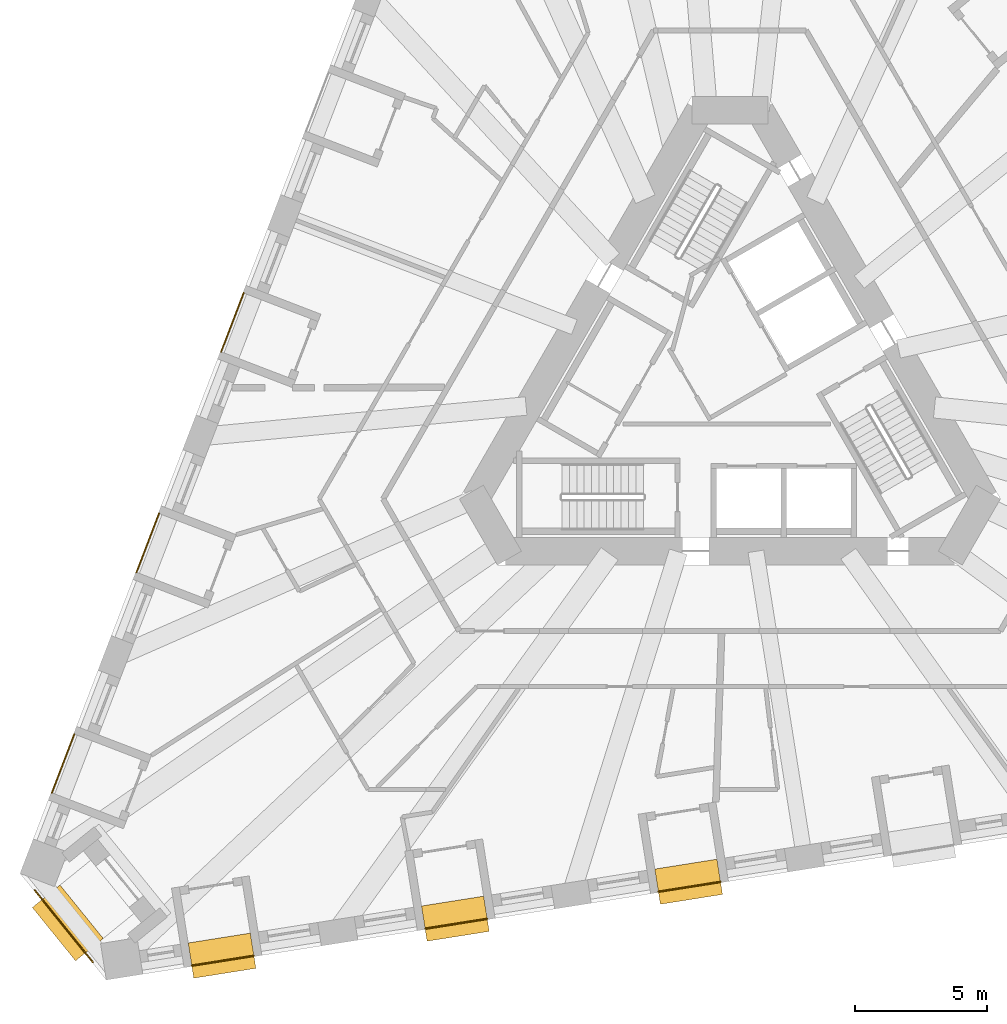
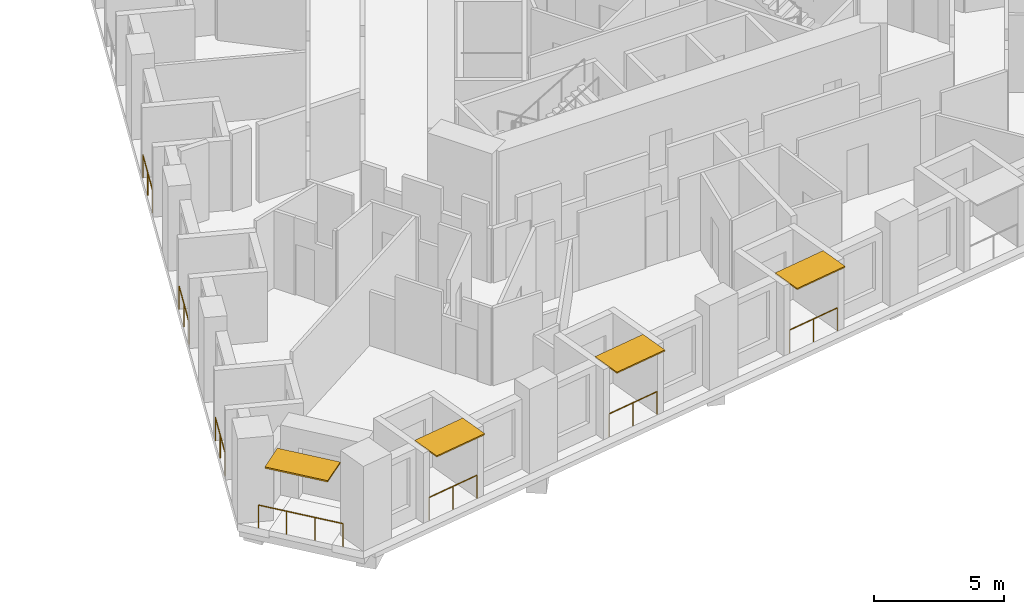
# One storey, part 11 of 14: 7 railings, 4 shading devices.
"""IFC4 building model written with IfcOpenShell, lengths in metres."""

import ifcopenshell
import ifcopenshell.guid

model = None  # the IFC model being written
_history = None  # IfcOwnerHistory: only IFC2X3 demands one
_inside = {}  # id of a spatial element -> (the spatial element, [elements in it])
_under = {}  # id of a project, library or spatial element -> (it, [spatial elements below it])
_declared = {}  # id of a project -> (the project, [libraries it declares])
_typed = {}  # id of a type object -> (the type object, [elements of that type])
_made_of = {}  # id of a material, layer set ... -> (it, [elements and type objects made of it])


def new_model(schema):
    """Start an empty IFC model of exactly this schema.

    Asked for "IFC4X3", IfcOpenShell would pick the latest addendum, in which some entities
    have other attributes; the version numbers below select the first issue.
    IFC2X3 requires an IfcOwnerHistory on every rooted entity: one is made here for all.
    """
    global model, _history
    if schema == "IFC4X3":
        model = ifcopenshell.file(schema_version=(4, 3, 0, 0))
    else:
        model = ifcopenshell.file(schema=schema)
    _inside.clear()
    _under.clear()
    _declared.clear()
    _typed.clear()
    _made_of.clear()
    _history = None
    if model.schema == "IFC2X3":
        org = make("IfcOrganization", Name="unknown")
        user = make(
            "IfcPersonAndOrganization",
            ThePerson=make("IfcPerson", FamilyName="unknown"),
            TheOrganization=org,
        )
        app = make(
            "IfcApplication",
            ApplicationDeveloper=org,
            Version="unknown",
            ApplicationFullName="unknown",
            ApplicationIdentifier="unknown",
        )
        _history = make(
            "IfcOwnerHistory",
            OwningUser=user,
            OwningApplication=app,
            ChangeAction="ADDED",
            CreationDate=0,
        )
    return model


def make(cls, **values):
    """One entity of the class cls with the attributes given. An attribute that is None is left unset."""
    return model.create_entity(
        cls, **{name: value for name, value in values.items() if value is not None}
    )


def rooted(cls, **values):
    """An entity with a GlobalId (a new one), such as an element, a storey or a relation."""
    return make(cls, GlobalId=ifcopenshell.guid.new(), OwnerHistory=_history, **values)


def si_unit(unit_type, name, prefix=None):
    """IfcSIUnit, for example si_unit("LENGTHUNIT", "METRE", prefix="MILLI")."""
    return make("IfcSIUnit", UnitType=unit_type, Prefix=prefix, Name=name)


def assignment(units):
    """IfcUnitAssignment: the units of a project."""
    return None if units is None else make("IfcUnitAssignment", Units=units)


def point(xyz):
    """IfcCartesianPoint."""
    return None if xyz is None else make("IfcCartesianPoint", Coordinates=xyz)


def direction(xyz):
    """IfcDirection."""
    return None if xyz is None else make("IfcDirection", DirectionRatios=xyz)


def frame(location, z_axis=None, x_axis=None):
    """IfcAxis2Placement3D, a coordinate frame: its origin and axes. An axis left out is left unset."""
    return make(
        "IfcAxis2Placement3D",
        Location=point(location),
        Axis=direction(z_axis),
        RefDirection=direction(x_axis),
    )


def frame_2d(location, x_axis=None):
    """IfcAxis2Placement2D, a coordinate frame in the plane: its origin and x axis."""
    return make(
        "IfcAxis2Placement2D", Location=point(location), RefDirection=direction(x_axis)
    )


def origin():
    """The frame at (0, 0, 0) with its axes left unset."""
    return frame((0.0, 0.0, 0.0))


def origin_2d():
    """The frame at (0, 0) in the plane with its x axis left unset."""
    return frame_2d((0.0, 0.0))


def place(relative_to, where):
    """IfcLocalPlacement: puts the frame where relative to a parent placement (None: the world)."""
    return make(
        "IfcLocalPlacement", PlacementRelTo=relative_to, RelativePlacement=where
    )


def context(
    kind, dimensions, precision=None, world=None, true_north=None, identifier=None
):
    """IfcGeometricRepresentationContext, for example the 3D "Model" context."""
    return make(
        "IfcGeometricRepresentationContext",
        ContextIdentifier=identifier,
        ContextType=kind,
        CoordinateSpaceDimension=dimensions,
        Precision=precision,
        WorldCoordinateSystem=world,
        TrueNorth=true_north,
    )


def subcontext(parent, identifier, kind, view, scale=None):
    """IfcGeometricRepresentationSubContext, for example "Body" below "Model"."""
    return make(
        "IfcGeometricRepresentationSubContext",
        ContextIdentifier=identifier,
        ContextType=kind,
        ParentContext=parent,
        TargetScale=scale,
        TargetView=view,
    )


def project(units=None, contexts=None):
    """IfcProject with its units and contexts."""
    return rooted(
        "IfcProject",
        Name="project",
        RepresentationContexts=contexts,
        UnitsInContext=assignment(units),
    )


def spatial(cls, under=None, at=None, **own):
    """A site, building, storey or space (cls), placed at a placement, below another one or the project."""
    s = rooted(cls, ObjectPlacement=at, **own)
    if under is not None:
        _under.setdefault(under.id(), (under, []))[1].append(s)
    return s


def profile(cls, at=None, kind="AREA", **sizes):
    """A parametric profile (cls). Its sizes go by their IFC names, for example OverallWidth=200.0."""
    return make(cls, ProfileType=kind, Position=at, **sizes)


def rectangle(**sizes):
    """IfcRectangleProfileDef."""
    return profile("IfcRectangleProfileDef", **sizes)


def circle(**sizes):
    """IfcCircleProfileDef."""
    return profile("IfcCircleProfileDef", **sizes)


def extrude(swept, where, along, depth):
    """IfcExtrudedAreaSolid: the profile swept, set in the frame where, extruded along a direction by depth."""
    return make(
        "IfcExtrudedAreaSolid",
        SweptArea=swept,
        Position=where,
        ExtrudedDirection=direction(along),
        Depth=depth,
    )


def shape(context_of_items, identifier, shape_type, items):
    """IfcShapeRepresentation: the items that make up one representation, for example the "Body"."""
    return make(
        "IfcShapeRepresentation",
        ContextOfItems=context_of_items,
        RepresentationIdentifier=identifier,
        RepresentationType=shape_type,
        Items=items,
    )


def material(Name=None, Category=None):
    """IfcMaterial."""
    return make("IfcMaterial", Name=Name, Category=Category)


def layer(
    of_material, thickness, ventilated=None, Name=None, Category=None, Priority=None
):
    """IfcMaterialLayer: one layer of a wall or slab, of a material (None: an air gap)."""
    return make(
        "IfcMaterialLayer",
        Material=of_material,
        LayerThickness=thickness,
        IsVentilated=ventilated,
        Name=Name,
        Category=Category,
        Priority=Priority,
    )


def layer_set(layers, Name=None):
    """IfcMaterialLayerSet."""
    return make("IfcMaterialLayerSet", MaterialLayers=layers, LayerSetName=Name)


def made_of(thing, what):
    """Note that an element or type object is made of a material, layer set ...; save() writes the relation."""
    if what is not None:
        _made_of.setdefault(what.id(), (what, []))[1].append(thing)
    return thing


def type_object(cls, material=None, **own):
    """A type object (cls), such as IfcWallType, which elements share."""
    return made_of(rooted(cls, **own), material)


def element(
    cls,
    number,
    at=None,
    inside=None,
    cuts=None,
    type_object=None,
    material=None,
    context=None,
    identifier="Body",
    shape_type=None,
    held_by="IfcProductDefinitionShape",
    body=None,
    shapes=None,
    **own,
):
    """One element of the class cls, such as IfcWall. Its Tag is "e" and its number.

    at: its placement. inside: the storey or other place that contains it. cuts: it is an
    opening in that element (IfcRelVoidsElement). A single representation is given by context,
    identifier, shape_type and body (its items); several are given by shapes. held_by: the class
    of the entity that holds the representations. save() writes the other relations.
    """
    e = rooted(cls, Tag="e%d" % number, ObjectPlacement=at, **own)
    if body is not None:
        shapes = [shape(context, identifier, shape_type, body)]
    if shapes is not None:
        e.Representation = make(held_by, Representations=shapes)
    if inside is not None:
        _inside.setdefault(inside.id(), (inside, []))[1].append(e)
    if cuts is not None:
        rooted(
            "IfcRelVoidsElement", RelatingBuildingElement=cuts, RelatedOpeningElement=e
        )
    if type_object is not None:
        _typed.setdefault(type_object.id(), (type_object, []))[1].append(e)
    return made_of(e, material)


def aggregate(whole, parts):
    """IfcRelAggregates: a whole, such as a stair, and the parts it consists of."""
    return rooted("IfcRelAggregates", RelatingObject=whole, RelatedObjects=parts)


def save(model, path):
    """Write the relations noted so far, then the file.

    IfcRelAggregates (storeys below a building ...), IfcRelContainedInSpatialStructure (elements
    in a storey), IfcRelDefinesByType, IfcRelAssociatesMaterial and IfcRelDeclares: one each for
    every whole, place, type object, material and project.
    """
    for whole, parts in _under.values():
        aggregate(whole, parts)
    for where, things in _inside.values():
        rooted(
            "IfcRelContainedInSpatialStructure",
            RelatedElements=things,
            RelatingStructure=where,
        )
    for kind, things in _typed.values():
        rooted("IfcRelDefinesByType", RelatedObjects=things, RelatingType=kind)
    for what, things in _made_of.values():
        rooted("IfcRelAssociatesMaterial", RelatedObjects=things, RelatingMaterial=what)
    for by, libraries in _declared.values():
        rooted("IfcRelDeclares", RelatingContext=by, RelatedDefinitions=libraries)
    model.write(path)


model = new_model("IFC4")

# Units and contexts
model_context = context("Model", 3, precision=1e-05, world=origin(), true_north=direction((0.0, 1.0)))
body_context = subcontext(model_context, "Body", "Model", "MODEL_VIEW")
ifc_project = project(units=[si_unit("LENGTHUNIT", "METRE"), si_unit("AREAUNIT", "SQUARE_METRE"), si_unit("VOLUMEUNIT", "CUBIC_METRE"), si_unit("PLANEANGLEUNIT", "RADIAN"), si_unit("MASSUNIT", "GRAM", prefix="KILO")], contexts=[model_context])

# Site, building, storey
site_placement = place(None, origin())
site = spatial("IfcSite", under=ifc_project, at=site_placement, CompositionType="ELEMENT")
building_placement = place(site_placement, origin())
building = spatial("IfcBuilding", under=site, at=building_placement, Name="Tramontana Tower", CompositionType="ELEMENT")
storey_placement = place(building_placement, frame((0.0, 0.0, 63.199951171875)))
storey = spatial("IfcBuildingStorey", under=building, at=storey_placement, Name="L13", CompositionType="ELEMENT", Elevation=63.199951171875)

# Railings
ifc_material_1 = material(Name="Laminated glass balustrade", Category="glass")
railing_type = type_object("IfcRailingType", Name="GD1 Loggia glass balustrade 1100", PredefinedType="BALUSTRADE", material=ifc_material_1)
for number, where, name in (
    (1, (-18.419677734375, 3.55419921875, 0.0), "Loggia balustrade L13 G1S0.10"),
    (2, (-21.626708984375, -4.80029296875, 0.0), "Loggia balustrade L13 G1S0.13"),
):
    element("IfcRailing", number, at=place(storey_placement, frame(where)), inside=storey, type_object=railing_type, Name=name, PredefinedType="BALUSTRADE", context=body_context, shape_type="SweptSolid", body=[
        extrude(circle(Radius=0.02392578125, at=origin_2d()), frame((0.0, 0.0, 1.076171875), z_axis=(-0.358354292693, -0.933585668757, 0.0), x_axis=(0.933585668757, -0.358354292693, 0.0)), (0.0, 0.0, 1.0), 2.383056640625),
        extrude(circle(Radius=0.02099609375, at=origin_2d()), origin(), (0.0, 0.0, 1.0), 1.052001953125),
        extrude(circle(Radius=0.02099609375, at=origin_2d()), frame((-0.427001953125, -1.1123046875, 0.0)), (0.0, 0.0, 1.0), 1.052001953125),
        extrude(circle(Radius=0.02099609375, at=origin_2d()), frame((-0.85400390625, -2.224853515625, 0.0)), (0.0, 0.0, 1.0), 1.052001953125),
    ])
railing_1_placement = place(storey_placement, frame((-24.833740234375, -13.155029296875, 0.0)))
element("IfcRailing", 3, at=railing_1_placement, inside=storey, type_object=railing_type, Name="Loggia balustrade L13 G1S0.16", PredefinedType="BALUSTRADE", context=body_context, shape_type="SweptSolid", body=[
    extrude(circle(Radius=0.02392578125, at=origin_2d()), frame((0.0, 0.0, 1.076171875), z_axis=(-0.35838856932, -0.933572511046, 0.0), x_axis=(0.933572511046, -0.35838856932, 0.0)), (0.0, 0.0, 1.0), 2.3828125),
    extrude(circle(Radius=0.02099609375, at=origin_2d()), origin(), (0.0, 0.0, 1.0), 1.052001953125),
    extrude(circle(Radius=0.02099609375, at=origin_2d()), frame((-0.427001953125, -1.1123046875, 0.0)), (0.0, 0.0, 1.0), 1.052001953125),
    extrude(circle(Radius=0.02099609375, at=origin_2d()), frame((-0.85400390625, -2.224609375, 0.0)), (0.0, 0.0, 1.0), 1.052001953125),
])
railing_2_placement = place(storey_placement, frame((-20.38427734375, -21.9287109375, 0.0)))
element("IfcRailing", 4, at=railing_2_placement, inside=storey, type_object=railing_type, Name="Loggia balustrade L13 G1S1.1", PredefinedType="BALUSTRADE", context=body_context, shape_type="SweptSolid", body=[
    extrude(circle(Radius=0.02392578125, at=origin_2d()), frame((0.0, 0.0, 1.076171875), z_axis=(0.987685586014, 0.156451855793, 0.0), x_axis=(-0.156451855793, 0.987685586014, 0.0)), (0.0, 0.0, 1.0), 2.3828125),
    extrude(circle(Radius=0.02099609375, at=origin_2d()), origin(), (0.0, 0.0, 1.0), 1.052001953125),
    extrude(circle(Radius=0.02099609375, at=origin_2d()), frame((1.1767578125, 0.1865234375, 0.0)), (0.0, 0.0, 1.0), 1.052001953125),
    extrude(circle(Radius=0.02099609375, at=origin_2d()), frame((2.353515625, 0.372802734375, 0.0)), (0.0, 0.0, 1.0), 1.052001953125),
])
railing_3_placement = place(storey_placement, frame((-11.545654296875, -20.52880859375, 0.0)))
element("IfcRailing", 5, at=railing_3_placement, inside=storey, type_object=railing_type, Name="Loggia balustrade L13 G1S1.4", PredefinedType="BALUSTRADE", context=body_context, shape_type="SweptSolid", body=[
    extrude(circle(Radius=0.02392578125, at=origin_2d()), frame((0.0, 0.0, 1.076171875), z_axis=(0.987688093492, 0.15643602518, 0.0), x_axis=(-0.15643602518, 0.987688093492, 0.0)), (0.0, 0.0, 1.0), 2.383056640625),
    extrude(circle(Radius=0.02099609375, at=origin_2d()), origin(), (0.0, 0.0, 1.0), 1.052001953125),
    extrude(circle(Radius=0.02099609375, at=origin_2d()), frame((1.1767578125, 0.1865234375, 0.0)), (0.0, 0.0, 1.0), 1.052001953125),
    extrude(circle(Radius=0.02099609375, at=origin_2d()), frame((2.353759765625, 0.372802734375, 0.0)), (0.0, 0.0, 1.0), 1.052001953125),
])
railing_4_placement = place(storey_placement, frame((-2.706787109375, -19.12890625, 0.0)))
element("IfcRailing", 6, at=railing_4_placement, inside=storey, type_object=railing_type, Name="Loggia balustrade L13 G1S1.7", PredefinedType="BALUSTRADE", context=body_context, shape_type="SweptSolid", body=[
    extrude(circle(Radius=0.02392578125, at=origin_2d()), frame((0.0, 0.0, 1.076171875), z_axis=(0.987685586014, 0.156451855793, 0.0), x_axis=(-0.156451855793, 0.987685586014, 0.0)), (0.0, 0.0, 1.0), 2.3828125),
    extrude(circle(Radius=0.02099609375, at=origin_2d()), origin(), (0.0, 0.0, 1.0), 1.052001953125),
    extrude(circle(Radius=0.02099609375, at=origin_2d()), frame((1.1767578125, 0.1865234375, 0.0)), (0.0, 0.0, 1.0), 1.052001953125),
    extrude(circle(Radius=0.02099609375, at=origin_2d()), frame((2.353515625, 0.372802734375, 0.0)), (0.0, 0.0, 1.0), 1.052001953125),
])
railing_5_placement = place(storey_placement, frame((-24.132568359375, -21.7939453125, 0.0)))
element("IfcRailing", 7, at=railing_5_placement, inside=storey, type_object=railing_type, Name="Corner loggia balustrade L13 K11", PredefinedType="BALUSTRADE", context=body_context, shape_type="SweptSolid", body=[
    extrude(circle(Radius=0.02392578125, at=origin_2d()), frame((0.0, 0.0, 1.076171875), z_axis=(-0.629328651904, 0.777139271876, 0.0), x_axis=(-0.777139271876, -0.629328651904, 0.0)), (0.0, 0.0, 1.0), 3.5),
    extrude(circle(Radius=0.02099609375, at=origin_2d()), origin(), (0.0, 0.0, 1.0), 1.052001953125),
    extrude(circle(Radius=0.02099609375, at=origin_2d()), frame((-0.734130859375, 0.90673828125, 0.0)), (0.0, 0.0, 1.0), 1.052001953125),
    extrude(circle(Radius=0.02099609375, at=origin_2d()), frame((-1.468505859375, 1.813232421875, 0.0)), (0.0, 0.0, 1.0), 1.052001953125),
    extrude(circle(Radius=0.02099609375, at=origin_2d()), frame((-2.20263671875, 2.719970703125, 0.0)), (0.0, 0.0, 1.0), 1.052001953125),
])

# Shading devices
ifc_material_2 = material(Name="Precast concrete 60 MPa", Category="concrete")
ifc_layer_1 = layer(ifc_material_2, 0.06005859375)
ifc_layer_set_1 = layer_set([ifc_layer_1], Name="SS1 Stone sunshade blade 60")
shading_device_type_1 = type_object("IfcShadingDeviceType", Name="SS1 Stone sunshade blade 60", PredefinedType="USERDEFINED", material=ifc_layer_set_1)
for number, where, z_axis, x_axis, name in (
    (8, (-19.238037109375, -21.5498046875, 3.239990234375), (0.0, 0.0, 1.0), (0.987688340595, 0.15643446504, 0.0), "Sunshade L13 G1S1.1"),
    (9, (-10.399169921875, -20.14990234375, 3.239990234375), (0.0, 0.0, 1.0), (0.987688340595, 0.15643446504, 0.0), "Sunshade L13 G1S1.4"),
    (10, (-1.560546875, -18.75, 3.239990234375), (0.0, 0.0, 1.0), (0.987688340595, 0.15643446504, 0.0), "Sunshade L13 G1S1.7"),
):
    element("IfcShadingDevice", number, at=place(storey_placement, frame(where, z_axis=z_axis, x_axis=x_axis)), inside=storey, type_object=shading_device_type_1, Name=name, ObjectType="SUNSHADE", PredefinedType="USERDEFINED", context=body_context, shape_type="SweptSolid", body=[
        extrude(rectangle(XDim=2.383056640625, YDim=1.35009765625, at=origin_2d()), origin(), (0.0, 0.0, 1.0), 0.06005859375),
    ])
ifc_material_3 = material(Name="Precast concrete 60 MPa", Category="concrete")
ifc_layer_2 = layer(ifc_material_3, 0.070068359375)
ifc_layer_set_2 = layer_set([ifc_layer_2], Name="SS2 Stone sunshade blade 70")
shading_device_type_2 = type_object("IfcShadingDeviceType", Name="SS2 Stone sunshade blade 70", PredefinedType="USERDEFINED", material=ifc_layer_set_2)
shading_device_placement = place(storey_placement, frame((-25.082275390625, -20.311279296875, 3.22998046875), z_axis=(0.0, 0.0, 1.0), x_axis=(-0.62932039105, 0.777145961457, 0.0)))
element("IfcShadingDevice", 11, at=shading_device_placement, inside=storey, type_object=shading_device_type_2, Name="Corner sunshade L13 K11", ObjectType="SUNSHADE", PredefinedType="USERDEFINED", context=body_context, shape_type="SweptSolid", body=[
    extrude(rectangle(XDim=2.60009765625, YDim=1.35009765625, at=origin_2d()), origin(), (0.0, 0.0, 1.0), 0.070068359375),
])

save(model, "model.ifc")
